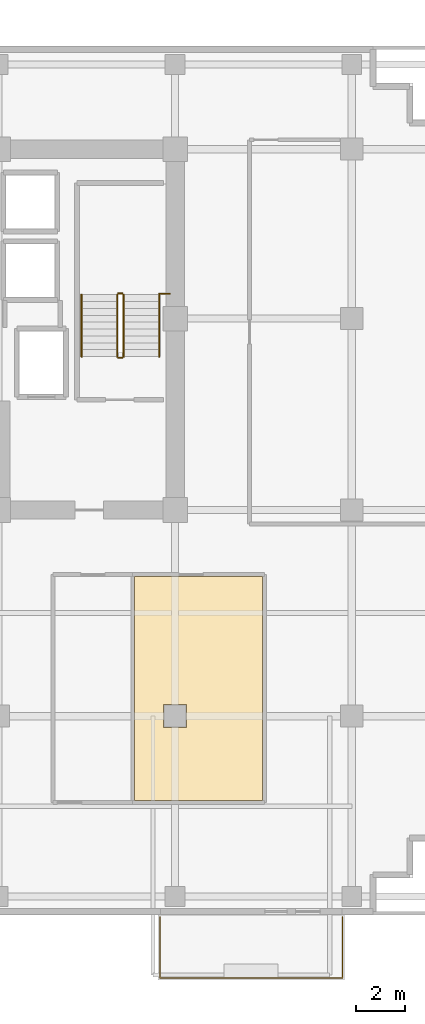
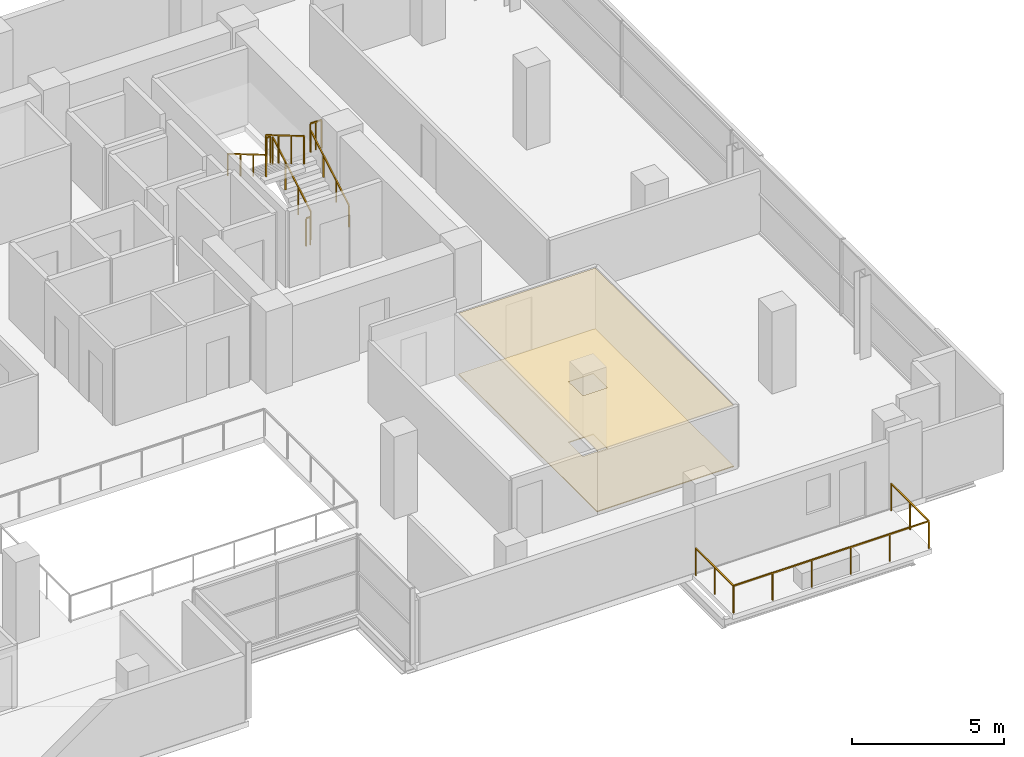
# One storey, part 26 of 28: 8 railings, 2 coverings.
"""IFC4 building model written with IfcOpenShell, lengths in metres."""

import ifcopenshell
import ifcopenshell.guid

model = None  # the IFC model being written
_history = None  # IfcOwnerHistory: only IFC2X3 demands one
_inside = {}  # id of a spatial element -> (the spatial element, [elements in it])
_under = {}  # id of a project, library or spatial element -> (it, [spatial elements below it])
_declared = {}  # id of a project -> (the project, [libraries it declares])
_typed = {}  # id of a type object -> (the type object, [elements of that type])
_made_of = {}  # id of a material, layer set ... -> (it, [elements and type objects made of it])


def new_model(schema):
    """Start an empty IFC model of exactly this schema.

    Asked for "IFC4X3", IfcOpenShell would pick the latest addendum, in which some entities
    have other attributes; the version numbers below select the first issue.
    IFC2X3 requires an IfcOwnerHistory on every rooted entity: one is made here for all.
    """
    global model, _history
    if schema == "IFC4X3":
        model = ifcopenshell.file(schema_version=(4, 3, 0, 0))
    else:
        model = ifcopenshell.file(schema=schema)
    _inside.clear()
    _under.clear()
    _declared.clear()
    _typed.clear()
    _made_of.clear()
    _history = None
    if model.schema == "IFC2X3":
        org = make("IfcOrganization", Name="unknown")
        user = make(
            "IfcPersonAndOrganization",
            ThePerson=make("IfcPerson", FamilyName="unknown"),
            TheOrganization=org,
        )
        app = make(
            "IfcApplication",
            ApplicationDeveloper=org,
            Version="unknown",
            ApplicationFullName="unknown",
            ApplicationIdentifier="unknown",
        )
        _history = make(
            "IfcOwnerHistory",
            OwningUser=user,
            OwningApplication=app,
            ChangeAction="ADDED",
            CreationDate=0,
        )
    return model


def make(cls, **values):
    """One entity of the class cls with the attributes given. An attribute that is None is left unset."""
    return model.create_entity(
        cls, **{name: value for name, value in values.items() if value is not None}
    )


def rooted(cls, **values):
    """An entity with a GlobalId (a new one), such as an element, a storey or a relation."""
    return make(cls, GlobalId=ifcopenshell.guid.new(), OwnerHistory=_history, **values)


def si_unit(unit_type, name, prefix=None):
    """IfcSIUnit, for example si_unit("LENGTHUNIT", "METRE", prefix="MILLI")."""
    return make("IfcSIUnit", UnitType=unit_type, Prefix=prefix, Name=name)


def assignment(units):
    """IfcUnitAssignment: the units of a project."""
    return None if units is None else make("IfcUnitAssignment", Units=units)


def point(xyz):
    """IfcCartesianPoint."""
    return None if xyz is None else make("IfcCartesianPoint", Coordinates=xyz)


def direction(xyz):
    """IfcDirection."""
    return None if xyz is None else make("IfcDirection", DirectionRatios=xyz)


def frame(location, z_axis=None, x_axis=None):
    """IfcAxis2Placement3D, a coordinate frame: its origin and axes. An axis left out is left unset."""
    return make(
        "IfcAxis2Placement3D",
        Location=point(location),
        Axis=direction(z_axis),
        RefDirection=direction(x_axis),
    )


def frame_2d(location, x_axis=None):
    """IfcAxis2Placement2D, a coordinate frame in the plane: its origin and x axis."""
    return make(
        "IfcAxis2Placement2D", Location=point(location), RefDirection=direction(x_axis)
    )


def origin():
    """The frame at (0, 0, 0) with its axes left unset."""
    return frame((0.0, 0.0, 0.0))


def origin_2d():
    """The frame at (0, 0) in the plane with its x axis left unset."""
    return frame_2d((0.0, 0.0))


def place(relative_to, where):
    """IfcLocalPlacement: puts the frame where relative to a parent placement (None: the world)."""
    return make(
        "IfcLocalPlacement", PlacementRelTo=relative_to, RelativePlacement=where
    )


def context(
    kind, dimensions, precision=None, world=None, true_north=None, identifier=None
):
    """IfcGeometricRepresentationContext, for example the 3D "Model" context."""
    return make(
        "IfcGeometricRepresentationContext",
        ContextIdentifier=identifier,
        ContextType=kind,
        CoordinateSpaceDimension=dimensions,
        Precision=precision,
        WorldCoordinateSystem=world,
        TrueNorth=true_north,
    )


def subcontext(parent, identifier, kind, view, scale=None):
    """IfcGeometricRepresentationSubContext, for example "Body" below "Model"."""
    return make(
        "IfcGeometricRepresentationSubContext",
        ContextIdentifier=identifier,
        ContextType=kind,
        ParentContext=parent,
        TargetScale=scale,
        TargetView=view,
    )


def project(units=None, contexts=None):
    """IfcProject with its units and contexts."""
    return rooted(
        "IfcProject",
        Name="project",
        RepresentationContexts=contexts,
        UnitsInContext=assignment(units),
    )


def spatial(cls, under=None, at=None, **own):
    """A site, building, storey or space (cls), placed at a placement, below another one or the project."""
    s = rooted(cls, ObjectPlacement=at, **own)
    if under is not None:
        _under.setdefault(under.id(), (under, []))[1].append(s)
    return s


def polyline(points):
    """IfcPolyline through the points."""
    return make("IfcPolyline", Points=[point(p) for p in points])


def profile(cls, at=None, kind="AREA", **sizes):
    """A parametric profile (cls). Its sizes go by their IFC names, for example OverallWidth=200.0."""
    return make(cls, ProfileType=kind, Position=at, **sizes)


def rectangle(**sizes):
    """IfcRectangleProfileDef."""
    return profile("IfcRectangleProfileDef", **sizes)


def outline(outer, holes=None, kind="AREA"):
    """IfcArbitraryClosedProfileDef: a profile drawn as a closed curve; with holes, ...WithVoids."""
    if holes is None:
        return make("IfcArbitraryClosedProfileDef", ProfileType=kind, OuterCurve=outer)
    return make(
        "IfcArbitraryProfileDefWithVoids",
        ProfileType=kind,
        OuterCurve=outer,
        InnerCurves=holes,
    )


def extrude(swept, where, along, depth):
    """IfcExtrudedAreaSolid: the profile swept, set in the frame where, extruded along a direction by depth."""
    return make(
        "IfcExtrudedAreaSolid",
        SweptArea=swept,
        Position=where,
        ExtrudedDirection=direction(along),
        Depth=depth,
    )


def shape(context_of_items, identifier, shape_type, items):
    """IfcShapeRepresentation: the items that make up one representation, for example the "Body"."""
    return make(
        "IfcShapeRepresentation",
        ContextOfItems=context_of_items,
        RepresentationIdentifier=identifier,
        RepresentationType=shape_type,
        Items=items,
    )


def material(Name=None, Category=None):
    """IfcMaterial."""
    return make("IfcMaterial", Name=Name, Category=Category)


def layer(
    of_material, thickness, ventilated=None, Name=None, Category=None, Priority=None
):
    """IfcMaterialLayer: one layer of a wall or slab, of a material (None: an air gap)."""
    return make(
        "IfcMaterialLayer",
        Material=of_material,
        LayerThickness=thickness,
        IsVentilated=ventilated,
        Name=Name,
        Category=Category,
        Priority=Priority,
    )


def layer_set(layers, Name=None):
    """IfcMaterialLayerSet."""
    return make("IfcMaterialLayerSet", MaterialLayers=layers, LayerSetName=Name)


def made_of(thing, what):
    """Note that an element or type object is made of a material, layer set ...; save() writes the relation."""
    if what is not None:
        _made_of.setdefault(what.id(), (what, []))[1].append(thing)
    return thing


def type_object(cls, material=None, **own):
    """A type object (cls), such as IfcWallType, which elements share."""
    return made_of(rooted(cls, **own), material)


def element(
    cls,
    number,
    at=None,
    inside=None,
    cuts=None,
    type_object=None,
    material=None,
    context=None,
    identifier="Body",
    shape_type=None,
    held_by="IfcProductDefinitionShape",
    body=None,
    shapes=None,
    **own,
):
    """One element of the class cls, such as IfcWall. Its Tag is "e" and its number.

    at: its placement. inside: the storey or other place that contains it. cuts: it is an
    opening in that element (IfcRelVoidsElement). A single representation is given by context,
    identifier, shape_type and body (its items); several are given by shapes. held_by: the class
    of the entity that holds the representations. save() writes the other relations.
    """
    e = rooted(cls, Tag="e%d" % number, ObjectPlacement=at, **own)
    if body is not None:
        shapes = [shape(context, identifier, shape_type, body)]
    if shapes is not None:
        e.Representation = make(held_by, Representations=shapes)
    if inside is not None:
        _inside.setdefault(inside.id(), (inside, []))[1].append(e)
    if cuts is not None:
        rooted(
            "IfcRelVoidsElement", RelatingBuildingElement=cuts, RelatedOpeningElement=e
        )
    if type_object is not None:
        _typed.setdefault(type_object.id(), (type_object, []))[1].append(e)
    return made_of(e, material)


def aggregate(whole, parts):
    """IfcRelAggregates: a whole, such as a stair, and the parts it consists of."""
    return rooted("IfcRelAggregates", RelatingObject=whole, RelatedObjects=parts)


def save(model, path):
    """Write the relations noted so far, then the file.

    IfcRelAggregates (storeys below a building ...), IfcRelContainedInSpatialStructure (elements
    in a storey), IfcRelDefinesByType, IfcRelAssociatesMaterial and IfcRelDeclares: one each for
    every whole, place, type object, material and project.
    """
    for whole, parts in _under.values():
        aggregate(whole, parts)
    for where, things in _inside.values():
        rooted(
            "IfcRelContainedInSpatialStructure",
            RelatedElements=things,
            RelatingStructure=where,
        )
    for kind, things in _typed.values():
        rooted("IfcRelDefinesByType", RelatedObjects=things, RelatingType=kind)
    for what, things in _made_of.values():
        rooted("IfcRelAssociatesMaterial", RelatedObjects=things, RelatingMaterial=what)
    for by, libraries in _declared.values():
        rooted("IfcRelDeclares", RelatingContext=by, RelatedDefinitions=libraries)
    model.write(path)


model = new_model("IFC4")

# Units and contexts
model_context = context("Model", 3, precision=1e-05, world=origin(), true_north=direction((0.0, 1.0)))
body_context = subcontext(model_context, "Body", "Model", "MODEL_VIEW")
ifc_project = project(units=[si_unit("LENGTHUNIT", "METRE"), si_unit("AREAUNIT", "SQUARE_METRE"), si_unit("VOLUMEUNIT", "CUBIC_METRE"), si_unit("PLANEANGLEUNIT", "RADIAN"), si_unit("MASSUNIT", "GRAM", prefix="KILO")], contexts=[model_context])

# Site, building, storey
site_placement = place(None, origin())
site = spatial("IfcSite", under=ifc_project, at=site_placement, CompositionType="ELEMENT")
building_placement = place(site_placement, origin())
building = spatial("IfcBuilding", under=site, at=building_placement, Name="Zarnakvel Exchange Tower", CompositionType="ELEMENT")
storey_placement = place(building_placement, frame((0.0, 0.0, 90.10009765625)))
storey = spatial("IfcBuildingStorey", under=building, at=storey_placement, Name="L24", CompositionType="ELEMENT", Elevation=90.10009765625)

# Coverings
ifc_material_1 = material(Name="Perforated Bronze Acoustic Metal Ceiling", Category="aluminium")
ifc_layer_1 = layer(ifc_material_1, 0.02001953125)
ifc_layer_set_1 = layer_set([ifc_layer_1], Name="Perforated Bronze Acoustic Metal Ceiling")
covering_type_1 = type_object("IfcCoveringType", Name="CLG-01", PredefinedType="CEILING", material=ifc_layer_set_1)
covering_1_placement = place(storey_placement, frame((0.0, 0.0, 2.454833984375)))
element("IfcCovering", 1, at=covering_1_placement, inside=storey, type_object=covering_type_1, Name="L24 Suspended Acoustic Ceiling (Boardroom)", PredefinedType="CEILING", context=body_context, shape_type="SweptSolid", body=[
    extrude(outline(polyline([(12.75537109375, -3.909912109375), (17.962158203125, -3.909912109375), (17.962158203125, -13.0400390625), (12.75537109375, -13.0400390625), (12.75537109375, -3.909912109375)]), holes=[polyline([(13.929931640625, -10.070068359375), (14.8701171875, -10.070068359375), (14.8701171875, -9.1298828125), (13.929931640625, -9.1298828125), (13.929931640625, -10.070068359375)])]), origin(), (0.0, 0.0, 1.0), 0.02001953125),
])
ifc_material_2 = material(Name="Heavy-Duty Raised Access Floor Panel", Category="steel")
ifc_layer_2 = layer(ifc_material_2, 0.034912109375)
ifc_layer_set_2 = layer_set([ifc_layer_2], Name="Heavy-Duty Raised Access Floor Panel")
covering_type_2 = type_object("IfcCoveringType", Name="FLR-02", PredefinedType="FLOORING", material=ifc_layer_set_2)
covering_2_placement = place(storey_placement, origin())
element("IfcCovering", 2, at=covering_2_placement, inside=storey, type_object=covering_type_2, Name="L24 Floor Finish (Boardroom)", PredefinedType="FLOORING", context=body_context, shape_type="SweptSolid", body=[
    extrude(outline(polyline([(12.75537109375, -3.909912109375), (17.962158203125, -3.909912109375), (17.962158203125, -13.0400390625), (12.75537109375, -13.0400390625), (12.75537109375, -3.909912109375)]), holes=[polyline([(13.929931640625, -10.070068359375), (14.8701171875, -10.070068359375), (14.8701171875, -9.1298828125), (13.929931640625, -9.1298828125), (13.929931640625, -10.070068359375)])]), origin(), (0.0, 0.0, 1.0), 0.034912109375),
])

# Railings
ifc_material_3 = material(Name="Architectural Bronze Anodised Aluminium", Category="aluminium")
railing_type_1 = type_object("IfcRailingType", Name="GR-02", PredefinedType="GUARDRAIL", material=ifc_material_3)
railing_1_placement = place(storey_placement, frame((13.780029296875, -17.780029296875, -0.03515625)))
element("IfcRailing", 3, at=railing_1_placement, inside=storey, type_object=railing_type_1, Name="L24 Balcony Guardrail BAL-L24-SE", PredefinedType="GUARDRAIL", context=body_context, shape_type="SweptSolid", body=[
    extrude(rectangle(XDim=0.048095703125, YDim=0.048095703125, at=origin_2d()), frame((0.0, 0.0, 1.09619140625), z_axis=(0.0, -1.0, 0.0), x_axis=(1.0, 0.0, 0.0)), (0.0, 0.0, 1.0), 2.489990234375),
    extrude(rectangle(XDim=0.048095703125, YDim=0.048095703125, at=origin_2d()), frame((0.0, -2.489990234375, 1.09619140625), z_axis=(1.0, 0.0, 0.0), x_axis=(0.0, 1.0, 0.0)), (0.0, 0.0, 1.0), 7.43994140625),
    extrude(rectangle(XDim=0.048095703125, YDim=0.048095703125, at=origin_2d()), frame((7.43994140625, -2.489990234375, 1.09619140625), z_axis=(0.0, 1.0, 0.0), x_axis=(-1.0, 0.0, 0.0)), (0.0, 0.0, 1.0), 2.489990234375),
    extrude(rectangle(XDim=0.0419921875, YDim=0.0419921875, at=origin_2d()), origin(), (0.0, 0.0, 1.0), 1.072021484375),
    extrude(rectangle(XDim=0.0419921875, YDim=0.0419921875, at=origin_2d()), frame((0.0, -1.2451171875, 0.0)), (0.0, 0.0, 1.0), 1.072021484375),
    extrude(rectangle(XDim=0.0419921875, YDim=0.0419921875, at=origin_2d()), frame((0.0, -2.489990234375, 0.0)), (0.0, 0.0, 1.0), 1.072021484375),
    extrude(rectangle(XDim=0.0419921875, YDim=0.0419921875, at=origin_2d()), frame((1.488037109375, -2.489990234375, 0.0)), (0.0, 0.0, 1.0), 1.072021484375),
    extrude(rectangle(XDim=0.0419921875, YDim=0.0419921875, at=origin_2d()), frame((2.97607421875, -2.489990234375, 0.0)), (0.0, 0.0, 1.0), 1.072021484375),
    extrude(rectangle(XDim=0.0419921875, YDim=0.0419921875, at=origin_2d()), frame((4.4638671875, -2.489990234375, 0.0)), (0.0, 0.0, 1.0), 1.072021484375),
    extrude(rectangle(XDim=0.0419921875, YDim=0.0419921875, at=origin_2d()), frame((5.951904296875, -2.489990234375, 0.0)), (0.0, 0.0, 1.0), 1.072021484375),
    extrude(rectangle(XDim=0.0419921875, YDim=0.0419921875, at=origin_2d()), frame((7.43994140625, -2.489990234375, 0.0)), (0.0, 0.0, 1.0), 1.072021484375),
    extrude(rectangle(XDim=0.0419921875, YDim=0.0419921875, at=origin_2d()), frame((7.43994140625, -1.2451171875, 0.0)), (0.0, 0.0, 1.0), 1.072021484375),
    extrude(rectangle(XDim=0.0419921875, YDim=0.0419921875, at=origin_2d()), frame((7.43994140625, 0.0, 0.0)), (0.0, 0.0, 1.0), 1.072021484375),
])
ifc_material_4 = material(Name="Brushed Stainless Steel", Category="steel")
railing_type_2 = type_object("IfcRailingType", Name="HR-01", PredefinedType="HANDRAIL", material=ifc_material_4)
railing_2_placement = place(storey_placement, frame((13.75, 5.050048828125, 0.164794921875)))
element("IfcRailing", 4, at=railing_2_placement, inside=storey, type_object=railing_type_2, Name="L24 ST-02 stair handrail 1", PredefinedType="HANDRAIL", context=body_context, shape_type="SweptSolid", body=[
    extrude(rectangle(XDim=0.048095703125, YDim=0.048095703125, at=origin_2d()), frame((0.0, 0.0, 0.8759765625), z_axis=(0.0, 0.86152411907, 0.507716645641), x_axis=(-1.0, 0.0, 0.0)), (0.0, 0.0, 1.0), 2.925048828125),
    extrude(rectangle(XDim=0.0419921875, YDim=0.0419921875, at=origin_2d()), origin(), (0.0, 0.0, 1.0), 0.851806640625),
    extrude(rectangle(XDim=0.0419921875, YDim=0.0419921875, at=origin_2d()), frame((0.0, 0.840087890625, 0.4951171875)), (0.0, 0.0, 1.0), 0.851806640625),
    extrude(rectangle(XDim=0.0419921875, YDim=0.0419921875, at=origin_2d()), frame((0.0, 1.679931640625, 0.989990234375)), (0.0, 0.0, 1.0), 0.851806640625),
    extrude(rectangle(XDim=0.0419921875, YDim=0.0419921875, at=origin_2d()), frame((0.0, 2.52001953125, 1.485107421875)), (0.0, 0.0, 1.0), 0.851806640625),
])
railing_3_placement = place(storey_placement, frame((10.590087890625, 7.570068359375, 1.81494140625)))
element("IfcRailing", 5, at=railing_3_placement, inside=storey, type_object=railing_type_2, Name="L24 ST-02 stair handrail 2", PredefinedType="HANDRAIL", context=body_context, shape_type="SweptSolid", body=[
    extrude(rectangle(XDim=0.048095703125, YDim=0.048095703125, at=origin_2d()), frame((0.0, 0.0, 0.8759765625), z_axis=(0.0, -0.861560626758, 0.507654692109), x_axis=(1.0, 0.0, 0.0)), (0.0, 0.0, 1.0), 2.925048828125),
    extrude(rectangle(XDim=0.0419921875, YDim=0.0419921875, at=origin_2d()), origin(), (0.0, 0.0, 1.0), 0.851806640625),
    extrude(rectangle(XDim=0.0419921875, YDim=0.0419921875, at=origin_2d()), frame((0.0, -0.840087890625, 0.494873046875)), (0.0, 0.0, 1.0), 0.851806640625),
    extrude(rectangle(XDim=0.0419921875, YDim=0.0419921875, at=origin_2d()), frame((0.0, -1.679931640625, 0.989990234375)), (0.0, 0.0, 1.0), 0.851806640625),
    extrude(rectangle(XDim=0.0419921875, YDim=0.0419921875, at=origin_2d()), frame((0.0, -2.52001953125, 1.48486328125)), (0.0, 0.0, 1.0), 0.851806640625),
])
railing_type_3 = type_object("IfcRailingType", Name="SG-01", PredefinedType="GUARDRAIL", material=ifc_material_3)
railing_4_placement = place(storey_placement, frame((12.300048828125, 5.050048828125, 0.164794921875)))
element("IfcRailing", 6, at=railing_4_placement, inside=storey, type_object=railing_type_3, Name="L24 ST-02 stair guard 1", PredefinedType="GUARDRAIL", context=body_context, shape_type="SweptSolid", body=[
    extrude(rectangle(XDim=0.048095703125, YDim=0.048095703125, at=origin_2d()), frame((0.0, 0.0, 1.1259765625), z_axis=(0.0, 0.86152411907, 0.507716645641), x_axis=(-1.0, 0.0, 0.0)), (0.0, 0.0, 1.0), 2.925048828125),
    extrude(rectangle(XDim=0.0419921875, YDim=0.0419921875, at=origin_2d()), origin(), (0.0, 0.0, 1.0), 1.101806640625),
    extrude(rectangle(XDim=0.0419921875, YDim=0.0419921875, at=origin_2d()), frame((0.0, 0.840087890625, 0.4951171875)), (0.0, 0.0, 1.0), 1.101806640625),
    extrude(rectangle(XDim=0.0419921875, YDim=0.0419921875, at=origin_2d()), frame((0.0, 1.679931640625, 0.989990234375)), (0.0, 0.0, 1.0), 1.101806640625),
    extrude(rectangle(XDim=0.0419921875, YDim=0.0419921875, at=origin_2d()), frame((0.0, 2.52001953125, 1.485107421875)), (0.0, 0.0, 1.0), 1.101806640625),
])
railing_5_placement = place(storey_placement, frame((12.25, 7.6201171875, 1.64990234375)))
element("IfcRailing", 7, at=railing_5_placement, inside=storey, type_object=railing_type_3, Name="L24 ST-02 stair guard 2", PredefinedType="GUARDRAIL", context=body_context, shape_type="SweptSolid", body=[
    extrude(rectangle(XDim=0.048095703125, YDim=0.048095703125, at=origin_2d()), frame((0.0, 0.0, 1.1259765625), z_axis=(-1.0, 0.0, 0.0), x_axis=(0.0, -1.0, 0.0)), (0.0, 0.0, 1.0), 0.159912109375),
    extrude(rectangle(XDim=0.0419921875, YDim=0.0419921875, at=origin_2d()), origin(), (0.0, 0.0, 1.0), 1.101806640625),
    extrude(rectangle(XDim=0.0419921875, YDim=0.0419921875, at=origin_2d()), frame((-0.159912109375, 0.0, 0.0)), (0.0, 0.0, 1.0), 1.101806640625),
])
railing_6_placement = place(storey_placement, frame((12.0400390625, 7.570068359375, 1.81494140625)))
element("IfcRailing", 8, at=railing_6_placement, inside=storey, type_object=railing_type_3, Name="L24 ST-02 stair guard 3", PredefinedType="GUARDRAIL", context=body_context, shape_type="SweptSolid", body=[
    extrude(rectangle(XDim=0.048095703125, YDim=0.048095703125, at=origin_2d()), frame((0.0, 0.0, 1.1259765625), z_axis=(0.0, -0.861560626758, 0.507654692109), x_axis=(1.0, 0.0, 0.0)), (0.0, 0.0, 1.0), 2.925048828125),
    extrude(rectangle(XDim=0.0419921875, YDim=0.0419921875, at=origin_2d()), origin(), (0.0, 0.0, 1.0), 1.101806640625),
    extrude(rectangle(XDim=0.0419921875, YDim=0.0419921875, at=origin_2d()), frame((0.0, -0.840087890625, 0.494873046875)), (0.0, 0.0, 1.0), 1.101806640625),
    extrude(rectangle(XDim=0.0419921875, YDim=0.0419921875, at=origin_2d()), frame((0.0, -1.679931640625, 0.989990234375)), (0.0, 0.0, 1.0), 1.101806640625),
    extrude(rectangle(XDim=0.0419921875, YDim=0.0419921875, at=origin_2d()), frame((0.0, -2.52001953125, 1.48486328125)), (0.0, 0.0, 1.0), 1.101806640625),
])
railing_7_placement = place(storey_placement, frame((12.25, 5.0, 0.0)))
element("IfcRailing", 9, at=railing_7_placement, inside=storey, type_object=railing_type_3, Name="L24 ST-02 stair guard 4", PredefinedType="GUARDRAIL", context=body_context, shape_type="SweptSolid", body=[
    extrude(rectangle(XDim=0.048095703125, YDim=0.048095703125, at=origin_2d()), frame((0.0, 0.0, 1.1259765625), z_axis=(-1.0, 0.0, 0.0), x_axis=(0.0, -1.0, 0.0)), (0.0, 0.0, 1.0), 0.159912109375),
    extrude(rectangle(XDim=0.0419921875, YDim=0.0419921875, at=origin_2d()), origin(), (0.0, 0.0, 1.0), 1.101806640625),
    extrude(rectangle(XDim=0.0419921875, YDim=0.0419921875, at=origin_2d()), frame((-0.159912109375, 0.0, 0.0)), (0.0, 0.0, 1.0), 1.101806640625),
])
railing_8_placement = place(storey_placement, frame((13.75, 7.610107421875, 1.64990234375)))
element("IfcRailing", 10, at=railing_8_placement, inside=storey, type_object=railing_type_3, Name="L24 ST-02 Landing Slot Guardrail", PredefinedType="GUARDRAIL", context=body_context, shape_type="SweptSolid", body=[
    extrude(rectangle(XDim=0.048095703125, YDim=0.048095703125, at=origin_2d()), frame((0.0, 0.0, 1.1259765625), z_axis=(1.0, 0.0, 0.0), x_axis=(0.0, 1.0, 0.0)), (0.0, 0.0, 1.0), 0.429931640625),
    extrude(rectangle(XDim=0.0419921875, YDim=0.0419921875, at=origin_2d()), origin(), (0.0, 0.0, 1.0), 1.101806640625),
    extrude(rectangle(XDim=0.0419921875, YDim=0.0419921875, at=origin_2d()), frame((0.21484375, 0.0, 0.0)), (0.0, 0.0, 1.0), 1.101806640625),
    extrude(rectangle(XDim=0.0419921875, YDim=0.0419921875, at=origin_2d()), frame((0.429931640625, 0.0, 0.0)), (0.0, 0.0, 1.0), 1.101806640625),
])

save(model, "model.ifc")
